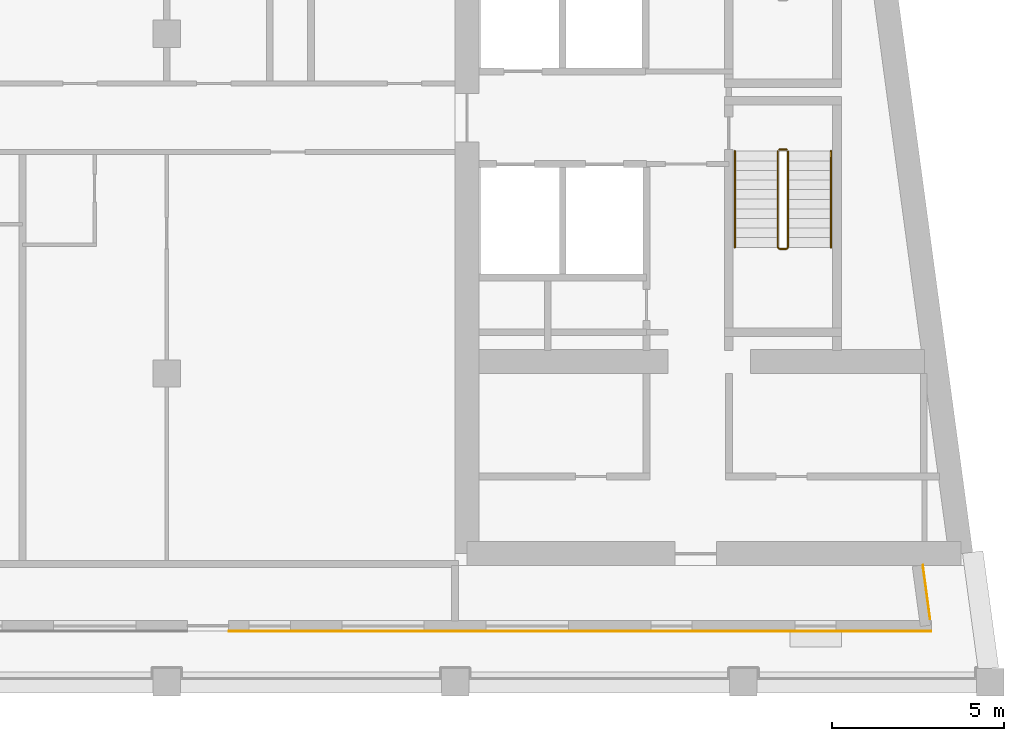
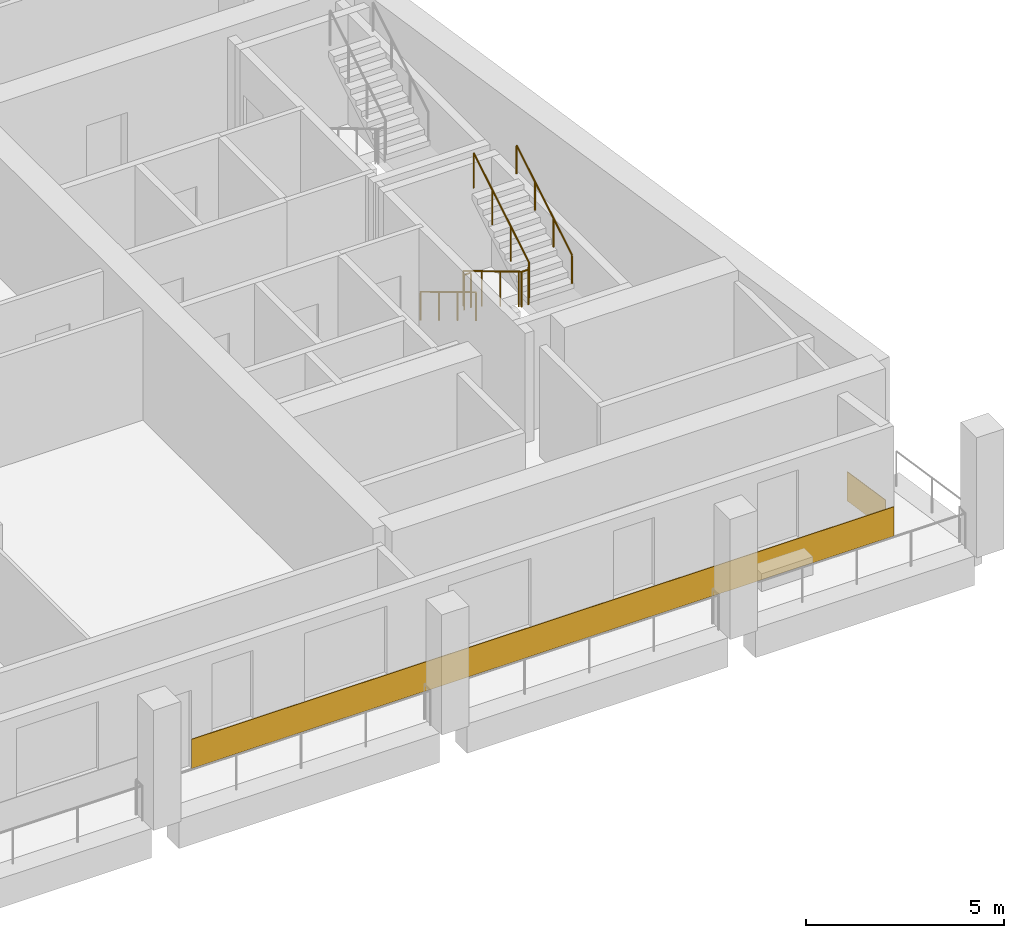
# One storey, part 11 of 14: 4 railings, 2 coverings.
"""IFC4 building model written with IfcOpenShell, lengths in metres."""

from ifc_helpers import new_model, si_unit, direction, frame, origin, origin_2d, place, context, subcontext, project, spatial, rectangle, circle, extrude, material, layer, layer_set, type_object, element, save


model = new_model("IFC4")

# Units and contexts
model_context = context("Model", 3, precision=1e-05, world=origin(), true_north=direction((0.0, 1.0)))
body_context = subcontext(model_context, "Body", "Model", "MODEL_VIEW")
ifc_project = project(units=[si_unit("LENGTHUNIT", "METRE"), si_unit("AREAUNIT", "SQUARE_METRE"), si_unit("VOLUMEUNIT", "CUBIC_METRE"), si_unit("PLANEANGLEUNIT", "RADIAN"), si_unit("MASSUNIT", "GRAM", prefix="KILO")], contexts=[model_context])

# Site, building, storey
site_placement = place(None, origin())
site = spatial("IfcSite", under=ifc_project, at=site_placement, CompositionType="ELEMENT")
building_placement = place(site_placement, origin())
building = spatial("IfcBuilding", under=site, at=building_placement, Name="Candeia Pilgrim Tower and Theatre", CompositionType="ELEMENT")
storey_placement = place(building_placement, frame((0.0, 0.0, 266.39990234375)))
storey = spatial("IfcBuildingStorey", under=building, at=storey_placement, Name="L64", CompositionType="ELEMENT", Elevation=266.39990234375)

# Coverings
ifc_material_1 = material(Name="Glazed ceramic tile bottle green")
ifc_layer = layer(ifc_material_1, 0.02001953125)
ifc_layer_set = layer_set([ifc_layer], Name="Glazed ceramic tile bottle green")
covering_type = type_object("IfcCoveringType", Name="Glazed ceramic tile bottle green", PredefinedType="CLADDING", material=ifc_layer_set)
covering_1_placement = place(storey_placement, frame((129.636474609375, 108.489990234375, 0.000244140625), z_axis=(0.0, 0.0, 1.0), x_axis=(1.0, 0.0, 0.0)))
element("IfcCovering", 1, at=covering_1_placement, inside=storey, type_object=covering_type, Name="Tile cladding bottle green L64", PredefinedType="CLADDING", context=body_context, shape_type="SweptSolid", body=[
    extrude(rectangle(XDim=20.472900390625, YDim=0.02001953125, at=origin_2d()), origin(), (0.0, 0.0, 1.0), 0.89990234375),
])
covering_2_placement = place(storey_placement, frame((139.73095703125, 109.630615234375, 0.000244140625), z_axis=(0.0, 0.0, 1.0), x_axis=(-0.133412012145, 0.991060661622, 0.0)))
element("IfcCovering", 2, at=covering_2_placement, inside=storey, type_object=covering_type, Name="Tile cladding bottle green L64", PredefinedType="CLADDING", context=body_context, shape_type="SweptSolid", body=[
    extrude(rectangle(XDim=1.595703125, YDim=0.02001953125, at=origin_2d()), origin(), (0.0, 0.0, 1.0), 0.89990234375),
])

# Railings
ifc_material_2 = material(Name="Stainless steel balustrade", Category="steel")
railing_type_1 = type_object("IfcRailingType", Name="RL-GUARD-1100", PredefinedType="GUARDRAIL", material=ifc_material_2)
railing_1_placement = place(storey_placement, frame((135.39794921875, 122.47509765625, 0.168212890625)))
element("IfcRailing", 3, at=railing_1_placement, inside=storey, type_object=railing_type_1, Name="L64 ST3 stair guard 1", PredefinedType="GUARDRAIL", context=body_context, shape_type="SweptSolid", body=[
    extrude(circle(Radius=0.02392578125, at=origin_2d()), frame((0.0, 0.0, 1.076171875), z_axis=(0.0, -0.857242210791, 0.514913383045), x_axis=(1.0, 0.0, 0.0)), (0.0, 0.0, 1.0), 3.266357421875),
    extrude(circle(Radius=0.02392578125, at=origin_2d()), frame((0.0, -2.800048828125, 2.7578125), z_axis=(0.707106781187, -0.707106781187, 0.0), x_axis=(0.707106781187, 0.707106781187, 0.0)), (0.0, 0.0, 1.0), 0.07080078125),
    extrude(circle(Radius=0.02392578125, at=origin_2d()), frame((0.050048828125, -2.85009765625, 2.7578125), z_axis=(1.0, 0.0, 0.0), x_axis=(0.0, 1.0, 0.0)), (0.0, 0.0, 1.0), 0.199951171875),
    extrude(circle(Radius=0.02392578125, at=origin_2d()), frame((0.25, -2.85009765625, 2.7578125), z_axis=(0.274243871929, 0.274243871929, 0.92172696468), x_axis=(-0.707106781187, 0.707106781187, 0.0)), (0.0, 0.0, 1.0), 0.1826171875),
    extrude(circle(Radius=0.02392578125, at=origin_2d()), frame((0.300048828125, -2.800048828125, 2.92626953125), z_axis=(0.0, 0.857242210791, 0.514913383045), x_axis=(-1.0, 0.0, 0.0)), (0.0, 0.0, 1.0), 3.266357421875),
    extrude(circle(Radius=0.02099609375, at=origin_2d()), origin(), (0.0, 0.0, 1.0), 1.052001953125),
    extrude(circle(Radius=0.02099609375, at=origin_2d()), frame((0.0, -0.933349609375, 0.560546875)), (0.0, 0.0, 1.0), 1.052001953125),
    extrude(circle(Radius=0.02099609375, at=origin_2d()), frame((0.0, -1.86669921875, 1.121337890625)), (0.0, 0.0, 1.0), 1.052001953125),
    extrude(circle(Radius=0.02099609375, at=origin_2d()), frame((0.0, -2.800048828125, 1.681884765625)), (0.0, 0.0, 1.0), 1.052001953125),
    extrude(circle(Radius=0.02099609375, at=origin_2d()), frame((0.050048828125, -2.85009765625, 1.681884765625)), (0.0, 0.0, 1.0), 1.052001953125),
    extrude(circle(Radius=0.02099609375, at=origin_2d()), frame((0.25, -2.85009765625, 1.681884765625)), (0.0, 0.0, 1.0), 1.052001953125),
    extrude(circle(Radius=0.02099609375, at=origin_2d()), frame((0.300048828125, -2.800048828125, 1.85009765625)), (0.0, 0.0, 1.0), 1.052001953125),
    extrude(circle(Radius=0.02099609375, at=origin_2d()), frame((0.300048828125, -1.86669921875, 2.41064453125)), (0.0, 0.0, 1.0), 1.052001953125),
    extrude(circle(Radius=0.02099609375, at=origin_2d()), frame((0.300048828125, -0.933349609375, 2.971435546875)), (0.0, 0.0, 1.0), 1.052001953125),
    extrude(circle(Radius=0.02099609375, at=origin_2d()), frame((0.300048828125, 0.0, 3.531982421875)), (0.0, 0.0, 1.0), 1.052001953125),
])
railing_2_placement = place(storey_placement, frame((135.447998046875, 122.52490234375, 0.0)))
element("IfcRailing", 4, at=railing_2_placement, inside=storey, type_object=railing_type_1, Name="L64 ST3 stair guard 2", PredefinedType="GUARDRAIL", context=body_context, shape_type="SweptSolid", body=[
    extrude(circle(Radius=0.02392578125, at=origin_2d()), frame((0.0, 0.0, 1.076171875), z_axis=(1.0, 0.0, 0.0), x_axis=(0.0, 1.0, 0.0)), (0.0, 0.0, 1.0), 0.199951171875),
    extrude(circle(Radius=0.02099609375, at=origin_2d()), origin(), (0.0, 0.0, 1.0), 1.052001953125),
    extrude(circle(Radius=0.02099609375, at=origin_2d()), frame((0.199951171875, 0.0, 0.0)), (0.0, 0.0, 1.0), 1.052001953125),
])
ifc_material_3 = material(Name="Stainless steel handrail", Category="steel")
railing_type_2 = type_object("IfcRailingType", Name="RL-HANDRAIL-900", PredefinedType="HANDRAIL", material=ifc_material_3)
railing_3_placement = place(storey_placement, frame((134.14794921875, 122.47509765625, 0.168212890625)))
element("IfcRailing", 5, at=railing_3_placement, inside=storey, type_object=railing_type_2, Name="L64 ST3 stair handrail 1", PredefinedType="HANDRAIL", context=body_context, shape_type="SweptSolid", body=[
    extrude(circle(Radius=0.02392578125, at=origin_2d()), frame((0.0, 0.0, 0.8759765625), z_axis=(0.0, -0.857242210791, 0.514913383045), x_axis=(1.0, 0.0, 0.0)), (0.0, 0.0, 1.0), 3.266357421875),
    extrude(circle(Radius=0.02099609375, at=origin_2d()), origin(), (0.0, 0.0, 1.0), 0.851806640625),
    extrude(circle(Radius=0.02099609375, at=origin_2d()), frame((0.0, -0.933349609375, 0.560546875)), (0.0, 0.0, 1.0), 0.851806640625),
    extrude(circle(Radius=0.02099609375, at=origin_2d()), frame((0.0, -1.86669921875, 1.121337890625)), (0.0, 0.0, 1.0), 0.851806640625),
    extrude(circle(Radius=0.02099609375, at=origin_2d()), frame((0.0, -2.800048828125, 1.681884765625)), (0.0, 0.0, 1.0), 0.851806640625),
])
railing_4_placement = place(storey_placement, frame((136.947998046875, 119.675048828125, 2.018310546875)))
element("IfcRailing", 6, at=railing_4_placement, inside=storey, type_object=railing_type_2, Name="L64 ST3 stair handrail 2", PredefinedType="HANDRAIL", context=body_context, shape_type="SweptSolid", body=[
    extrude(circle(Radius=0.02392578125, at=origin_2d()), frame((0.0, 0.0, 0.8759765625), z_axis=(0.0, 0.857242210791, 0.514913383045), x_axis=(-1.0, 0.0, 0.0)), (0.0, 0.0, 1.0), 3.266357421875),
    extrude(circle(Radius=0.02099609375, at=origin_2d()), origin(), (0.0, 0.0, 1.0), 0.851806640625),
    extrude(circle(Radius=0.02099609375, at=origin_2d()), frame((0.0, 0.933349609375, 0.560546875)), (0.0, 0.0, 1.0), 0.851806640625),
    extrude(circle(Radius=0.02099609375, at=origin_2d()), frame((0.0, 1.86669921875, 1.121337890625)), (0.0, 0.0, 1.0), 0.851806640625),
    extrude(circle(Radius=0.02099609375, at=origin_2d()), frame((0.0, 2.800048828125, 1.681884765625)), (0.0, 0.0, 1.0), 0.851806640625),
])

save(model, "model.ifc")
